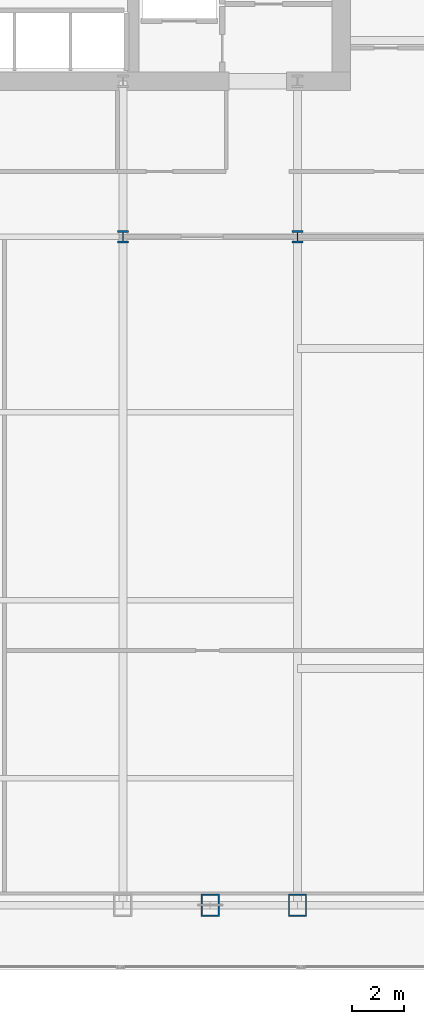
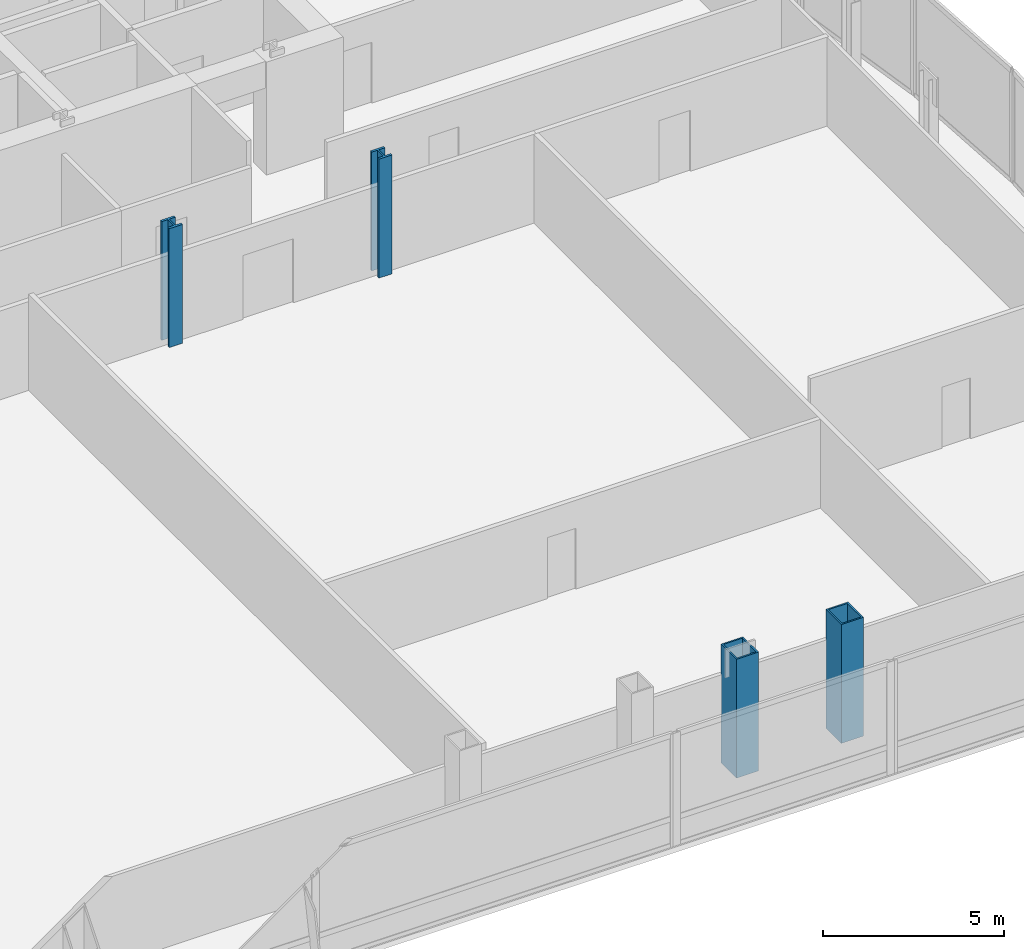
# One storey, part 2 of 34: 4 columns.
"""IFC4 building model written with IfcOpenShell, lengths in metres."""

from ifc_helpers import new_model, si_unit, direction, frame, origin, origin_2d, place, context, subcontext, project, spatial, hollow_rectangle, i_section, extrude, material, material_profile, profile_set, type_object, element, save


model = new_model("IFC4")

# Units and contexts
model_context = context("Model", 3, precision=1e-05, world=origin(), true_north=direction((0.0, 1.0)))
body_context = subcontext(model_context, "Body", "Model", "MODEL_VIEW")
ifc_project = project(units=[si_unit("LENGTHUNIT", "METRE"), si_unit("AREAUNIT", "SQUARE_METRE"), si_unit("VOLUMEUNIT", "CUBIC_METRE"), si_unit("PLANEANGLEUNIT", "RADIAN"), si_unit("MASSUNIT", "GRAM", prefix="KILO")], contexts=[model_context])

# Site, building, storey
site_placement = place(None, origin())
site = spatial("IfcSite", under=ifc_project, at=site_placement, CompositionType="ELEMENT")
building_placement = place(site_placement, origin())
building = spatial("IfcBuilding", under=site, at=building_placement, Name="Khoronbel Lancet Exchange", CompositionType="ELEMENT")
storey_placement = place(building_placement, frame((0.0, 0.0, 102.60009765625)))
storey = spatial("IfcBuildingStorey", under=building, at=storey_placement, Name="L24", CompositionType="ELEMENT", Elevation=102.60009765625)

# Columns
ifc_material = material(Name="Steel S460", Category="steel")
ifc_material_profile_1 = material_profile(ifc_material, hollow_rectangle(XDim=0.699951171875, YDim=0.85009765625, WallThickness=0.050048828125, at=origin_2d()), Name="BOX 850x700x50")
ifc_profile_set_1 = profile_set([ifc_material_profile_1], Name="Steel S460")
column_type_1 = type_object("IfcColumnType", Name="COL-EC2", PredefinedType="COLUMN", material=ifc_profile_set_1)
for number, where, z_axis, x_axis, name in (
    (1, (51.33740234375, 10.14990234375, 0.0), (0.0, 0.0, 1.0), (1.0, 0.0, 0.0), "Structural column SC-EM L24"),
    (2, (54.675048828125, 10.14990234375, 0.0), (0.0, 0.0, 1.0), (1.0, 0.0, 0.0), "Structural column SC-E2 L24"),
):
    element("IfcColumn", number, at=place(storey_placement, frame(where, z_axis=z_axis, x_axis=x_axis)), inside=storey, type_object=column_type_1, Name=name, PredefinedType="COLUMN", context=body_context, shape_type="SweptSolid", body=[
        extrude(hollow_rectangle(XDim=0.699951171875, YDim=0.85009765625, WallThickness=0.050048828125, at=origin_2d()), origin(), (0.0, 0.0, 1.0), 4.0),
    ])
ifc_material_profile_2 = material_profile(ifc_material, i_section(OverallWidth=0.424072265625, OverallDepth=0.47412109375, WebThickness=0.047607421875, FlangeThickness=0.076904296875, at=origin_2d()), Name="HD 400x634")
ifc_profile_set_2 = profile_set([ifc_material_profile_2], Name="Steel S460")
column_type_2 = type_object("IfcColumnType", Name="COL-IC1", PredefinedType="COLUMN", material=ifc_profile_set_2)
for number, where, z_axis, x_axis, name in (
    (3, (48.0, 35.699951171875, 0.0), (0.0, 0.0, 1.0), (1.0, 0.0, 0.0), "Spine gravity column TC3 L24"),
    (4, (54.675048828125, 35.699951171875, 0.0), (0.0, 0.0, 1.0), (1.0, 0.0, 0.0), "Spine gravity column TC4 L24"),
):
    element("IfcColumn", number, at=place(storey_placement, frame(where, z_axis=z_axis, x_axis=x_axis)), inside=storey, type_object=column_type_2, Name=name, PredefinedType="COLUMN", context=body_context, shape_type="SweptSolid", body=[
        extrude(i_section(OverallWidth=0.424072265625, OverallDepth=0.47412109375, WebThickness=0.047607421875, FlangeThickness=0.076904296875, at=origin_2d()), origin(), (0.0, 0.0, 1.0), 4.0),
    ])

save(model, "model.ifc")
